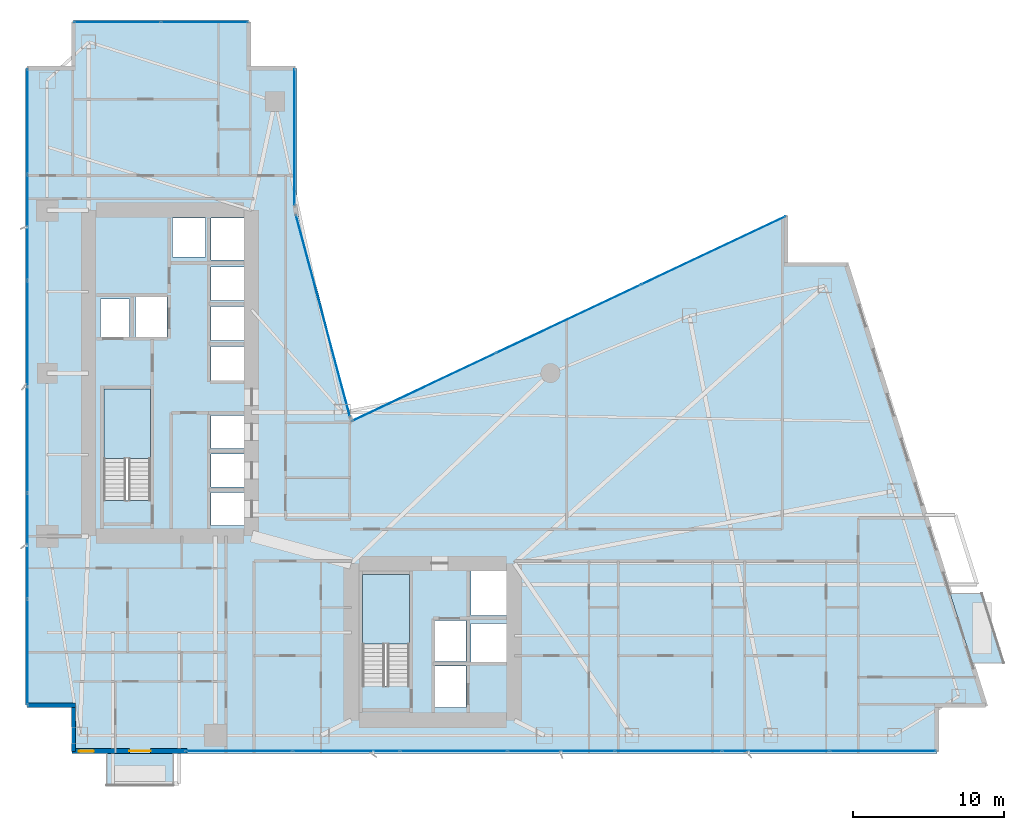
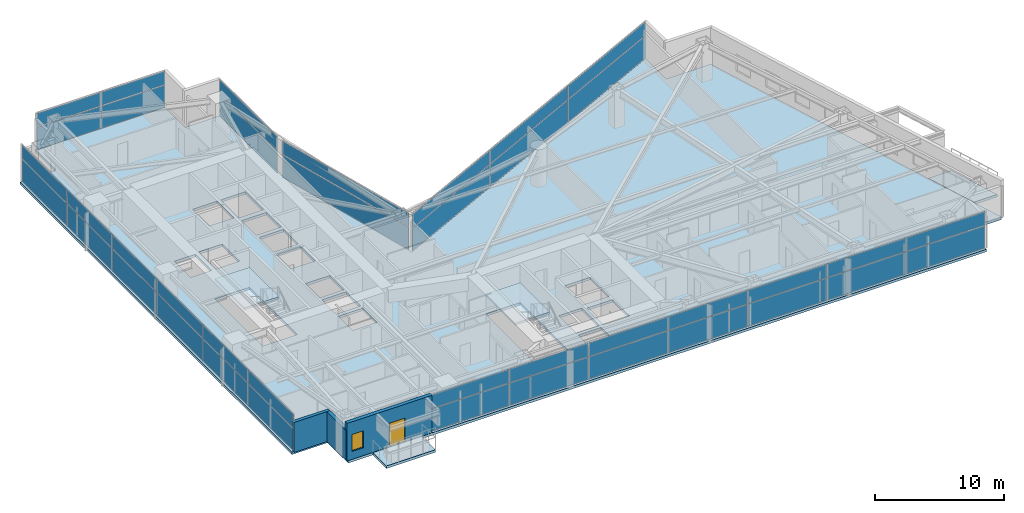
# One storey, part 21 of 30: 40 plates, 5 slabs, 3 walls, 1 door, 1 window, 2 openings, 8 elements without a shape of their own.
"""IFC4 building model written with IfcOpenShell, lengths in metres."""

from ifc_helpers import new_model, si_unit, direction, frame, frame_2d, origin, origin_2d, place, context, subcontext, project, spatial, polyline, rectangle, outline, extrude, material, layer, layer_set, type_object, element, fill, aggregate, save


model = new_model("IFC4")

# Units and contexts
model_context = context("Model", 3, precision=1e-05, world=origin(), true_north=direction((0.0, 1.0)))
body_context = subcontext(model_context, "Body", "Model", "MODEL_VIEW")
ifc_project = project(units=[si_unit("LENGTHUNIT", "METRE"), si_unit("AREAUNIT", "SQUARE_METRE"), si_unit("VOLUMEUNIT", "CUBIC_METRE"), si_unit("PLANEANGLEUNIT", "RADIAN"), si_unit("MASSUNIT", "GRAM", prefix="KILO")], contexts=[model_context])

# Site, building, storey
site_placement = place(None, origin())
site = spatial("IfcSite", under=ifc_project, at=site_placement, CompositionType="ELEMENT")
building_placement = place(site_placement, origin())
building = spatial("IfcBuilding", under=site, at=building_placement, Name="Calvorn Quay Hotel", CompositionType="ELEMENT")
storey_placement = place(building_placement, frame((0.0, 0.0, 30.800048828125)))
storey = spatial("IfcBuildingStorey", under=building, at=storey_placement, Name="L06", CompositionType="ELEMENT", Elevation=30.800048828125)

# Curtain wall, plates
ifc_material_1 = material(Name="Pale Anodised Aluminium and Low-E Glass", Category="aluminium")
ifc_layer_1 = layer(ifc_material_1, 0.219970703125)
ifc_layer_set_1 = layer_set([ifc_layer_1], Name="CW-SYS-Z1")
curtain_wall_type = type_object("IfcCurtainWallType", Name="CW-SYS-Z1", PredefinedType="NOTDEFINED", material=ifc_layer_set_1)
curtain_wall_1_placement = place(storey_placement, origin())
curtain_wall_1 = element("IfcCurtainWall", 1, at=curtain_wall_1_placement, inside=storey, type_object=curtain_wall_type, Name="Tower West Curtain Wall (L06)", PredefinedType="NOTDEFINED")
ifc_material_2 = material(Name="Low-E Laminated Double Glazing", Category="glass")
ifc_layer_2 = layer(ifc_material_2, 0.028076171875)
ifc_layer_set_2 = layer_set([ifc_layer_2], Name="CW-SYS-Z1-PAN")
plate_type = type_object("IfcPlateType", Name="CW-SYS-Z1-PAN", PredefinedType="CURTAIN_PANEL", material=ifc_layer_set_2)
plate_1_placement = place(storey_placement, frame((0.14990234375, 9.131591796875, 0.06005859375), z_axis=(0.0, 0.0, 1.0), x_axis=(0.0, 1.0, 0.0)))
plate_1 = element("IfcPlate", 2, at=plate_1_placement, type_object=plate_type, Name="CW-L06-W panel 1.1", PredefinedType="CURTAIN_PANEL", context=body_context, shape_type="SweptSolid", body=[
    extrude(rectangle(XDim=6.943359375, YDim=0.028076171875, at=origin_2d()), origin(), (0.0, 0.0, 1.0), 2.110107421875),
])
plate_2_placement = place(storey_placement, frame((0.14990234375, 9.131591796875, 2.22998046875), z_axis=(0.0, 0.0, 1.0), x_axis=(0.0, 1.0, 0.0)))
plate_2 = element("IfcPlate", 3, at=plate_2_placement, type_object=plate_type, Name="CW-L06-W panel 1.2", PredefinedType="CURTAIN_PANEL", context=body_context, shape_type="SweptSolid", body=[
    extrude(rectangle(XDim=6.943359375, YDim=0.028076171875, at=origin_2d()), origin(), (0.0, 0.0, 1.0), 1.27001953125),
])
plate_3_placement = place(storey_placement, frame((0.14990234375, 16.14990234375, 0.06005859375), z_axis=(0.0, 0.0, 1.0), x_axis=(0.0, 1.0, 0.0)))
plate_3 = element("IfcPlate", 4, at=plate_3_placement, type_object=plate_type, Name="CW-L06-W panel 2.1", PredefinedType="CURTAIN_PANEL", context=body_context, shape_type="SweptSolid", body=[
    extrude(rectangle(XDim=6.973388671875, YDim=0.028076171875, at=origin_2d()), origin(), (0.0, 0.0, 1.0), 2.110107421875),
])
plate_4_placement = place(storey_placement, frame((0.14990234375, 16.14990234375, 2.22998046875), z_axis=(0.0, 0.0, 1.0), x_axis=(0.0, 1.0, 0.0)))
plate_4 = element("IfcPlate", 5, at=plate_4_placement, type_object=plate_type, Name="CW-L06-W panel 2.2", PredefinedType="CURTAIN_PANEL", context=body_context, shape_type="SweptSolid", body=[
    extrude(rectangle(XDim=6.973388671875, YDim=0.028076171875, at=origin_2d()), origin(), (0.0, 0.0, 1.0), 1.27001953125),
])
plate_5_placement = place(storey_placement, frame((0.14990234375, 23.183349609375, 0.06005859375), z_axis=(0.0, 0.0, 1.0), x_axis=(0.0, 1.0, 0.0)))
plate_5 = element("IfcPlate", 6, at=plate_5_placement, type_object=plate_type, Name="CW-L06-W panel 3.1", PredefinedType="CURTAIN_PANEL", context=body_context, shape_type="SweptSolid", body=[
    extrude(rectangle(XDim=6.973388671875, YDim=0.028076171875, at=origin_2d()), origin(), (0.0, 0.0, 1.0), 2.110107421875),
])
plate_6_placement = place(storey_placement, frame((0.14990234375, 23.183349609375, 2.22998046875), z_axis=(0.0, 0.0, 1.0), x_axis=(0.0, 1.0, 0.0)))
plate_6 = element("IfcPlate", 7, at=plate_6_placement, type_object=plate_type, Name="CW-L06-W panel 3.2", PredefinedType="CURTAIN_PANEL", context=body_context, shape_type="SweptSolid", body=[
    extrude(rectangle(XDim=6.973388671875, YDim=0.028076171875, at=origin_2d()), origin(), (0.0, 0.0, 1.0), 1.27001953125),
])
plate_7_placement = place(storey_placement, frame((0.14990234375, 30.216552734375, 0.06005859375), z_axis=(0.0, 0.0, 1.0), x_axis=(0.0, 1.0, 0.0)))
plate_7 = element("IfcPlate", 8, at=plate_7_placement, type_object=plate_type, Name="CW-L06-W panel 4.1", PredefinedType="CURTAIN_PANEL", context=body_context, shape_type="SweptSolid", body=[
    extrude(rectangle(XDim=6.973388671875, YDim=0.028076171875, at=origin_2d()), origin(), (0.0, 0.0, 1.0), 2.110107421875),
])
plate_8_placement = place(storey_placement, frame((0.14990234375, 30.216552734375, 2.22998046875), z_axis=(0.0, 0.0, 1.0), x_axis=(0.0, 1.0, 0.0)))
plate_8 = element("IfcPlate", 9, at=plate_8_placement, type_object=plate_type, Name="CW-L06-W panel 4.2", PredefinedType="CURTAIN_PANEL", context=body_context, shape_type="SweptSolid", body=[
    extrude(rectangle(XDim=6.973388671875, YDim=0.028076171875, at=origin_2d()), origin(), (0.0, 0.0, 1.0), 1.27001953125),
])
plate_9_placement = place(storey_placement, frame((0.14990234375, 37.25, 0.06005859375), z_axis=(0.0, 0.0, 1.0), x_axis=(0.0, 1.0, 0.0)))
plate_9 = element("IfcPlate", 10, at=plate_9_placement, type_object=plate_type, Name="CW-L06-W panel 5.1", PredefinedType="CURTAIN_PANEL", context=body_context, shape_type="SweptSolid", body=[
    extrude(rectangle(XDim=6.973388671875, YDim=0.028076171875, at=origin_2d()), origin(), (0.0, 0.0, 1.0), 2.110107421875),
])
plate_10_placement = place(storey_placement, frame((0.14990234375, 37.25, 2.22998046875), z_axis=(0.0, 0.0, 1.0), x_axis=(0.0, 1.0, 0.0)))
plate_10 = element("IfcPlate", 11, at=plate_10_placement, type_object=plate_type, Name="CW-L06-W panel 5.2", PredefinedType="CURTAIN_PANEL", context=body_context, shape_type="SweptSolid", body=[
    extrude(rectangle(XDim=6.973388671875, YDim=0.028076171875, at=origin_2d()), origin(), (0.0, 0.0, 1.0), 1.27001953125),
])
plate_11_placement = place(storey_placement, frame((0.14990234375, 44.268310546875, 0.06005859375), z_axis=(0.0, 0.0, 1.0), x_axis=(0.0, 1.0, 0.0)))
plate_11 = element("IfcPlate", 12, at=plate_11_placement, type_object=plate_type, Name="CW-L06-W panel 6.1", PredefinedType="CURTAIN_PANEL", context=body_context, shape_type="SweptSolid", body=[
    extrude(rectangle(XDim=6.943359375, YDim=0.028076171875, at=origin_2d()), origin(), (0.0, 0.0, 1.0), 2.110107421875),
])
plate_12_placement = place(storey_placement, frame((0.14990234375, 44.268310546875, 2.22998046875), z_axis=(0.0, 0.0, 1.0), x_axis=(0.0, 1.0, 0.0)))
plate_12 = element("IfcPlate", 13, at=plate_12_placement, type_object=plate_type, Name="CW-L06-W panel 6.2", PredefinedType="CURTAIN_PANEL", context=body_context, shape_type="SweptSolid", body=[
    extrude(rectangle(XDim=6.943359375, YDim=0.028076171875, at=origin_2d()), origin(), (0.0, 0.0, 1.0), 1.27001953125),
])
aggregate(curtain_wall_1, [plate_1, plate_2, plate_3, plate_4, plate_5, plate_6, plate_7, plate_8, plate_9, plate_10, plate_11, plate_12])

curtain_wall_2_placement = place(storey_placement, origin())
curtain_wall_2 = element("IfcCurtainWall", 14, at=curtain_wall_2_placement, inside=storey, type_object=curtain_wall_type, Name="Tower South Waterfront Curtain Wall (L06)", PredefinedType="NOTDEFINED")
plate_13_placement = place(storey_placement, frame((14.172119140625, 2.550048828125, 0.06005859375), z_axis=(0.0, 0.0, 1.0), x_axis=(1.0, 0.0, 0.0)))
plate_13 = element("IfcPlate", 15, at=plate_13_placement, type_object=plate_type, Name="CW-L06-S panel 1.1", PredefinedType="CURTAIN_PANEL", context=body_context, shape_type="SweptSolid", body=[
    extrude(rectangle(XDim=7.024169921875, YDim=0.028076171875, at=origin_2d()), origin(), (0.0, 0.0, 1.0), 2.110107421875),
])
plate_14_placement = place(storey_placement, frame((14.172119140625, 2.550048828125, 2.22998046875), z_axis=(0.0, 0.0, 1.0), x_axis=(1.0, 0.0, 0.0)))
plate_14 = element("IfcPlate", 16, at=plate_14_placement, type_object=plate_type, Name="CW-L06-S panel 1.2", PredefinedType="CURTAIN_PANEL", context=body_context, shape_type="SweptSolid", body=[
    extrude(rectangle(XDim=7.024169921875, YDim=0.028076171875, at=origin_2d()), origin(), (0.0, 0.0, 1.0), 1.27001953125),
])
plate_15_placement = place(storey_placement, frame((21.271484375, 2.550048828125, 0.06005859375), z_axis=(0.0, 0.0, 1.0), x_axis=(1.0, 0.0, 0.0)))
plate_15 = element("IfcPlate", 17, at=plate_15_placement, type_object=plate_type, Name="CW-L06-S panel 2.1", PredefinedType="CURTAIN_PANEL", context=body_context, shape_type="SweptSolid", body=[
    extrude(rectangle(XDim=7.05419921875, YDim=0.028076171875, at=origin_2d()), origin(), (0.0, 0.0, 1.0), 2.110107421875),
])
plate_16_placement = place(storey_placement, frame((21.271484375, 2.550048828125, 2.22998046875), z_axis=(0.0, 0.0, 1.0), x_axis=(1.0, 0.0, 0.0)))
plate_16 = element("IfcPlate", 18, at=plate_16_placement, type_object=plate_type, Name="CW-L06-S panel 2.2", PredefinedType="CURTAIN_PANEL", context=body_context, shape_type="SweptSolid", body=[
    extrude(rectangle(XDim=7.05419921875, YDim=0.028076171875, at=origin_2d()), origin(), (0.0, 0.0, 1.0), 1.27001953125),
])
plate_17_placement = place(storey_placement, frame((28.3857421875, 2.550048828125, 0.06005859375), z_axis=(0.0, 0.0, 1.0), x_axis=(1.0, 0.0, 0.0)))
plate_17 = element("IfcPlate", 19, at=plate_17_placement, type_object=plate_type, Name="CW-L06-S panel 3.1", PredefinedType="CURTAIN_PANEL", context=body_context, shape_type="SweptSolid", body=[
    extrude(rectangle(XDim=7.05419921875, YDim=0.028076171875, at=origin_2d()), origin(), (0.0, 0.0, 1.0), 2.110107421875),
])
plate_18_placement = place(storey_placement, frame((28.3857421875, 2.550048828125, 2.22998046875), z_axis=(0.0, 0.0, 1.0), x_axis=(1.0, 0.0, 0.0)))
plate_18 = element("IfcPlate", 20, at=plate_18_placement, type_object=plate_type, Name="CW-L06-S panel 3.2", PredefinedType="CURTAIN_PANEL", context=body_context, shape_type="SweptSolid", body=[
    extrude(rectangle(XDim=7.05419921875, YDim=0.028076171875, at=origin_2d()), origin(), (0.0, 0.0, 1.0), 1.27001953125),
])
plate_19_placement = place(storey_placement, frame((35.5, 2.550048828125, 0.06005859375), z_axis=(0.0, 0.0, 1.0), x_axis=(1.0, 0.0, 0.0)))
plate_19 = element("IfcPlate", 21, at=plate_19_placement, type_object=plate_type, Name="CW-L06-S panel 4.1", PredefinedType="CURTAIN_PANEL", context=body_context, shape_type="SweptSolid", body=[
    extrude(rectangle(XDim=7.05419921875, YDim=0.028076171875, at=origin_2d()), origin(), (0.0, 0.0, 1.0), 2.110107421875),
])
plate_20_placement = place(storey_placement, frame((35.5, 2.550048828125, 2.22998046875), z_axis=(0.0, 0.0, 1.0), x_axis=(1.0, 0.0, 0.0)))
plate_20 = element("IfcPlate", 22, at=plate_20_placement, type_object=plate_type, Name="CW-L06-S panel 4.2", PredefinedType="CURTAIN_PANEL", context=body_context, shape_type="SweptSolid", body=[
    extrude(rectangle(XDim=7.05419921875, YDim=0.028076171875, at=origin_2d()), origin(), (0.0, 0.0, 1.0), 1.27001953125),
])
plate_21_placement = place(storey_placement, frame((42.6142578125, 2.550048828125, 0.06005859375), z_axis=(0.0, 0.0, 1.0), x_axis=(1.0, 0.0, 0.0)))
plate_21 = element("IfcPlate", 23, at=plate_21_placement, type_object=plate_type, Name="CW-L06-S panel 5.1", PredefinedType="CURTAIN_PANEL", context=body_context, shape_type="SweptSolid", body=[
    extrude(rectangle(XDim=7.05419921875, YDim=0.028076171875, at=origin_2d()), origin(), (0.0, 0.0, 1.0), 2.110107421875),
])
plate_22_placement = place(storey_placement, frame((42.6142578125, 2.550048828125, 2.22998046875), z_axis=(0.0, 0.0, 1.0), x_axis=(1.0, 0.0, 0.0)))
plate_22 = element("IfcPlate", 24, at=plate_22_placement, type_object=plate_type, Name="CW-L06-S panel 5.2", PredefinedType="CURTAIN_PANEL", context=body_context, shape_type="SweptSolid", body=[
    extrude(rectangle(XDim=7.05419921875, YDim=0.028076171875, at=origin_2d()), origin(), (0.0, 0.0, 1.0), 1.27001953125),
])
plate_23_placement = place(storey_placement, frame((49.728515625, 2.550048828125, 0.06005859375), z_axis=(0.0, 0.0, 1.0), x_axis=(1.0, 0.0, 0.0)))
plate_23 = element("IfcPlate", 25, at=plate_23_placement, type_object=plate_type, Name="CW-L06-S panel 6.1", PredefinedType="CURTAIN_PANEL", context=body_context, shape_type="SweptSolid", body=[
    extrude(rectangle(XDim=7.05419921875, YDim=0.028076171875, at=origin_2d()), origin(), (0.0, 0.0, 1.0), 2.110107421875),
])
plate_24_placement = place(storey_placement, frame((49.728515625, 2.550048828125, 2.22998046875), z_axis=(0.0, 0.0, 1.0), x_axis=(1.0, 0.0, 0.0)))
plate_24 = element("IfcPlate", 26, at=plate_24_placement, type_object=plate_type, Name="CW-L06-S panel 6.2", PredefinedType="CURTAIN_PANEL", context=body_context, shape_type="SweptSolid", body=[
    extrude(rectangle(XDim=7.05419921875, YDim=0.028076171875, at=origin_2d()), origin(), (0.0, 0.0, 1.0), 1.27001953125),
])
plate_25_placement = place(storey_placement, frame((56.827880859375, 2.550048828125, 0.06005859375), z_axis=(0.0, 0.0, 1.0), x_axis=(1.0, 0.0, 0.0)))
plate_25 = element("IfcPlate", 27, at=plate_25_placement, type_object=plate_type, Name="CW-L06-S panel 7.1", PredefinedType="CURTAIN_PANEL", context=body_context, shape_type="SweptSolid", body=[
    extrude(rectangle(XDim=7.024169921875, YDim=0.028076171875, at=origin_2d()), origin(), (0.0, 0.0, 1.0), 2.110107421875),
])
plate_26_placement = place(storey_placement, frame((56.827880859375, 2.550048828125, 2.22998046875), z_axis=(0.0, 0.0, 1.0), x_axis=(1.0, 0.0, 0.0)))
plate_26 = element("IfcPlate", 28, at=plate_26_placement, type_object=plate_type, Name="CW-L06-S panel 7.2", PredefinedType="CURTAIN_PANEL", context=body_context, shape_type="SweptSolid", body=[
    extrude(rectangle(XDim=7.024169921875, YDim=0.028076171875, at=origin_2d()), origin(), (0.0, 0.0, 1.0), 1.27001953125),
])
aggregate(curtain_wall_2, [plate_13, plate_14, plate_15, plate_16, plate_17, plate_18, plate_19, plate_20, plate_21, plate_22, plate_23, plate_24, plate_25, plate_26])

curtain_wall_3_placement = place(storey_placement, origin())
curtain_wall_3 = element("IfcCurtainWall", 29, at=curtain_wall_3_placement, inside=storey, type_object=curtain_wall_type, Name="Inner Court Curtain Wall L06-NE1", PredefinedType="NOTDEFINED")
plate_27_placement = place(storey_placement, frame((45.58642578125, 35.726806640625, 0.06005859375), z_axis=(0.0, 0.0, 1.0), x_axis=(-0.904248646743, -0.427006305415, 0.0)))
plate_27 = element("IfcPlate", 30, at=plate_27_placement, type_object=plate_type, Name="CW-L06-NE1 panel 1.1", PredefinedType="CURTAIN_PANEL", context=body_context, shape_type="SweptSolid", body=[
    extrude(rectangle(XDim=10.526611328125, YDim=0.028076171875, at=origin_2d()), origin(), (0.0, 0.0, 1.0), 2.110107421875),
])
plate_28_placement = place(storey_placement, frame((45.58642578125, 35.726806640625, 2.22998046875), z_axis=(0.0, 0.0, 1.0), x_axis=(-0.904248646743, -0.427006305415, 0.0)))
plate_28 = element("IfcPlate", 31, at=plate_28_placement, type_object=plate_type, Name="CW-L06-NE1 panel 1.2", PredefinedType="CURTAIN_PANEL", context=body_context, shape_type="SweptSolid", body=[
    extrude(rectangle(XDim=10.526611328125, YDim=0.028076171875, at=origin_2d()), origin(), (0.0, 0.0, 1.0), 1.27001953125),
])
plate_29_placement = place(storey_placement, frame((36.0, 31.199951171875, 0.06005859375), z_axis=(0.0, 0.0, 1.0), x_axis=(-0.904248646743, -0.427006305415, 0.0)))
plate_29 = element("IfcPlate", 32, at=plate_29_placement, type_object=plate_type, Name="CW-L06-NE1 panel 2.1", PredefinedType="CURTAIN_PANEL", context=body_context, shape_type="SweptSolid", body=[
    extrude(rectangle(XDim=10.556640625, YDim=0.028076171875, at=origin_2d()), origin(), (0.0, 0.0, 1.0), 2.110107421875),
])
plate_30_placement = place(storey_placement, frame((36.0, 31.199951171875, 2.22998046875), z_axis=(0.0, 0.0, 1.0), x_axis=(-0.904248646743, -0.427006305415, 0.0)))
plate_30 = element("IfcPlate", 33, at=plate_30_placement, type_object=plate_type, Name="CW-L06-NE1 panel 2.2", PredefinedType="CURTAIN_PANEL", context=body_context, shape_type="SweptSolid", body=[
    extrude(rectangle(XDim=10.556640625, YDim=0.028076171875, at=origin_2d()), origin(), (0.0, 0.0, 1.0), 1.27001953125),
])
plate_31_placement = place(storey_placement, frame((26.41357421875, 26.673095703125, 0.06005859375), z_axis=(0.0, 0.0, 1.0), x_axis=(-0.904248646743, -0.427006305415, 0.0)))
plate_31 = element("IfcPlate", 34, at=plate_31_placement, type_object=plate_type, Name="CW-L06-NE1 panel 3.1", PredefinedType="CURTAIN_PANEL", context=body_context, shape_type="SweptSolid", body=[
    extrude(rectangle(XDim=10.526611328125, YDim=0.028076171875, at=origin_2d()), origin(), (0.0, 0.0, 1.0), 2.110107421875),
])
plate_32_placement = place(storey_placement, frame((26.41357421875, 26.673095703125, 2.22998046875), z_axis=(0.0, 0.0, 1.0), x_axis=(-0.904248646743, -0.427006305415, 0.0)))
plate_32 = element("IfcPlate", 35, at=plate_32_placement, type_object=plate_type, Name="CW-L06-NE1 panel 3.2", PredefinedType="CURTAIN_PANEL", context=body_context, shape_type="SweptSolid", body=[
    extrude(rectangle(XDim=10.526611328125, YDim=0.028076171875, at=origin_2d()), origin(), (0.0, 0.0, 1.0), 1.27001953125),
])
aggregate(curtain_wall_3, [plate_27, plate_28, plate_29, plate_30, plate_31, plate_32])

curtain_wall_4_placement = place(storey_placement, origin())
curtain_wall_4 = element("IfcCurtainWall", 36, at=curtain_wall_4_placement, inside=storey, type_object=curtain_wall_type, Name="Inner Court Curtain Wall L06-IC1", PredefinedType="NOTDEFINED")
plate_33_placement = place(storey_placement, frame((19.72509765625, 31.39990234375, 0.06005859375), z_axis=(0.0, 0.0, 1.0), x_axis=(-0.25877913024, 0.96593652056, 0.0)))
plate_33 = element("IfcPlate", 37, at=plate_33_placement, type_object=plate_type, Name="CW-L06-IC1 panel 1.1", PredefinedType="CURTAIN_PANEL", context=body_context, shape_type="SweptSolid", body=[
    extrude(rectangle(XDim=13.814697265625, YDim=0.028076171875, at=origin_2d()), origin(), (0.0, 0.0, 1.0), 2.110107421875),
])
plate_34_placement = place(storey_placement, frame((19.72509765625, 31.39990234375, 2.22998046875), z_axis=(0.0, 0.0, 1.0), x_axis=(-0.25877913024, 0.96593652056, 0.0)))
plate_34 = element("IfcPlate", 38, at=plate_34_placement, type_object=plate_type, Name="CW-L06-IC1 panel 1.2", PredefinedType="CURTAIN_PANEL", context=body_context, shape_type="SweptSolid", body=[
    extrude(rectangle(XDim=13.814697265625, YDim=0.028076171875, at=origin_2d()), origin(), (0.0, 0.0, 1.0), 1.27001953125),
])
aggregate(curtain_wall_4, [plate_33, plate_34])

curtain_wall_5_placement = place(storey_placement, origin())
curtain_wall_5 = element("IfcCurtainWall", 39, at=curtain_wall_5_placement, inside=storey, type_object=curtain_wall_type, Name="Inner Court Curtain Wall L06-IC2", PredefinedType="NOTDEFINED")
plate_35_placement = place(storey_placement, frame((17.85009765625, 43.239990234375, 0.06005859375), z_axis=(0.0, 0.0, 1.0), x_axis=(0.0, 1.0, 0.0)))
plate_35 = element("IfcPlate", 40, at=plate_35_placement, type_object=plate_type, Name="CW-L06-IC2 panel 1.1", PredefinedType="CURTAIN_PANEL", context=body_context, shape_type="SweptSolid", body=[
    extrude(rectangle(XDim=9.0, YDim=0.028076171875, at=origin_2d()), origin(), (0.0, 0.0, 1.0), 2.110107421875),
])
plate_36_placement = place(storey_placement, frame((17.85009765625, 43.239990234375, 2.22998046875), z_axis=(0.0, 0.0, 1.0), x_axis=(0.0, 1.0, 0.0)))
plate_36 = element("IfcPlate", 41, at=plate_36_placement, type_object=plate_type, Name="CW-L06-IC2 panel 1.2", PredefinedType="CURTAIN_PANEL", context=body_context, shape_type="SweptSolid", body=[
    extrude(rectangle(XDim=9.0, YDim=0.028076171875, at=origin_2d()), origin(), (0.0, 0.0, 1.0), 1.27001953125),
])
aggregate(curtain_wall_5, [plate_35, plate_36])

curtain_wall_6_placement = place(storey_placement, origin())
curtain_wall_6 = element("IfcCurtainWall", 42, at=curtain_wall_6_placement, inside=storey, type_object=curtain_wall_type, Name="Inner Court Curtain Wall L06-N1", PredefinedType="NOTDEFINED")
plate_37_placement = place(storey_placement, frame((11.885009765625, 50.85009765625, 0.06005859375), z_axis=(0.0, 0.0, 1.0), x_axis=(-1.0, 0.0, 0.0)))
plate_37 = element("IfcPlate", 43, at=plate_37_placement, type_object=plate_type, Name="CW-L06-N1 panel 1.1", PredefinedType="CURTAIN_PANEL", context=body_context, shape_type="SweptSolid", body=[
    extrude(rectangle(XDim=5.7099609375, YDim=0.028076171875, at=origin_2d()), origin(), (0.0, 0.0, 1.0), 2.110107421875),
])
plate_38_placement = place(storey_placement, frame((11.885009765625, 50.85009765625, 2.22998046875), z_axis=(0.0, 0.0, 1.0), x_axis=(-1.0, 0.0, 0.0)))
plate_38 = element("IfcPlate", 44, at=plate_38_placement, type_object=plate_type, Name="CW-L06-N1 panel 1.2", PredefinedType="CURTAIN_PANEL", context=body_context, shape_type="SweptSolid", body=[
    extrude(rectangle(XDim=5.7099609375, YDim=0.028076171875, at=origin_2d()), origin(), (0.0, 0.0, 1.0), 1.27001953125),
])
plate_39_placement = place(storey_placement, frame((6.114990234375, 50.85009765625, 0.06005859375), z_axis=(0.0, 0.0, 1.0), x_axis=(-1.0, 0.0, 0.0)))
plate_39 = element("IfcPlate", 45, at=plate_39_placement, type_object=plate_type, Name="CW-L06-N1 panel 2.1", PredefinedType="CURTAIN_PANEL", context=body_context, shape_type="SweptSolid", body=[
    extrude(rectangle(XDim=5.7099609375, YDim=0.028076171875, at=origin_2d()), origin(), (0.0, 0.0, 1.0), 2.110107421875),
])
plate_40_placement = place(storey_placement, frame((6.114990234375, 50.85009765625, 2.22998046875), z_axis=(0.0, 0.0, 1.0), x_axis=(-1.0, 0.0, 0.0)))
plate_40 = element("IfcPlate", 46, at=plate_40_placement, type_object=plate_type, Name="CW-L06-N1 panel 2.2", PredefinedType="CURTAIN_PANEL", context=body_context, shape_type="SweptSolid", body=[
    extrude(rectangle(XDim=5.7099609375, YDim=0.028076171875, at=origin_2d()), origin(), (0.0, 0.0, 1.0), 1.27001953125),
])
aggregate(curtain_wall_6, [plate_37, plate_38, plate_39, plate_40])

# Slabs
ifc_material_3 = material(Name="Concrete C40", Category="concrete")
ifc_layer_3 = layer(ifc_material_3, 0.239990234375)
ifc_layer_set_3 = layer_set([ifc_layer_3], Name="SLB-BALCONY-220")
slab_type_1 = type_object("IfcSlabType", Name="SLB-BALCONY-220", PredefinedType="FLOOR", material=ifc_layer_set_3)
slab_1_placement = place(storey_placement, frame((0.0, 0.0, -0.239990234375)))
element("IfcSlab", 47, at=slab_1_placement, inside=storey, type_object=slab_type_1, Name="Tree Balcony Slab L06-BALC-E", PredefinedType="FLOOR", context=body_context, shape_type="SweptSolid", body=[
    extrude(outline(polyline([(62.72802734375, 8.39990234375), (64.827880859375, 8.39990234375), (63.3779296875, 13.0), (61.278076171875, 13.0), (62.72802734375, 8.39990234375)])), origin(), (0.0, 0.0, 1.0), 0.239990234375),
])
slab_2_placement = place(storey_placement, frame((0.0, 0.0, -0.239990234375)))
element("IfcSlab", 48, at=slab_2_placement, inside=storey, type_object=slab_type_1, Name="Tree Balcony Slab L06-BALC-S", PredefinedType="FLOOR", context=body_context, shape_type="SweptSolid", body=[
    extrude(outline(polyline([(5.39990234375, 0.2900390625), (9.800048828125, 0.2900390625), (9.800048828125, 2.389892578125), (5.39990234375, 2.389892578125), (5.39990234375, 0.2900390625)])), origin(), (0.0, 0.0, 1.0), 0.239990234375),
])

# Stair, slab
ifc_material_4 = material(Name="Concrete C40", Category="concrete")
stair_type = type_object("IfcStairType", Name="STR-CORE-DOGLEG", PredefinedType="HALF_TURN_STAIR", material=ifc_material_4)
stair_1_placement = place(storey_placement, origin())
stair_1 = element("IfcStair", 49, at=stair_1_placement, inside=storey, type_object=stair_type, Name="L06 ST-W", PredefinedType="HALF_TURN_STAIR")
ifc_material_5 = material(Name="Concrete C40", Category="concrete")
ifc_layer_4 = layer(ifc_material_5, 0.199951171875)
ifc_layer_set_4 = layer_set([ifc_layer_4], Name="SLB-STAIR-LANDING-200")
slab_type_2 = type_object("IfcSlabType", Name="SLB-STAIR-LANDING-200", PredefinedType="LANDING", material=ifc_layer_set_4)
slab_3_placement = place(storey_placement, frame((0.0, 0.0, 1.699951171875)))
slab_3 = element("IfcSlab", 50, at=slab_3_placement, type_object=slab_type_2, Name="ST-W landing 1", PredefinedType="LANDING", context=body_context, shape_type="SweptSolid", body=[
    extrude(outline(polyline([(8.300048828125, 21.949951171875), (8.300048828125, 26.550048828125), (5.199951171875, 26.550048828125), (5.199951171875, 21.949951171875), (8.300048828125, 21.949951171875)])), origin(), (0.0, 0.0, 1.0), 0.199951171875),
])
aggregate(stair_1, [slab_3])

stair_2_placement = place(storey_placement, origin())
stair_2 = element("IfcStair", 51, at=stair_2_placement, inside=storey, type_object=stair_type, Name="L06 ST-E", PredefinedType="HALF_TURN_STAIR")
slab_4_placement = place(storey_placement, frame((0.0, 0.0, 1.699951171875)))
slab_4 = element("IfcSlab", 52, at=slab_4_placement, type_object=slab_type_2, Name="ST-E landing 1", PredefinedType="LANDING", context=body_context, shape_type="SweptSolid", body=[
    extrude(outline(polyline([(25.449951171875, 9.64990234375), (25.449951171875, 14.25), (22.35009765625, 14.25), (22.35009765625, 9.64990234375), (25.449951171875, 9.64990234375)])), origin(), (0.0, 0.0, 1.0), 0.199951171875),
])
aggregate(stair_2, [slab_4])

# Slab
ifc_material_6 = material(Name="Concrete C40", Category="concrete")
ifc_layer_5 = layer(ifc_material_6, 0.239990234375)
ifc_layer_set_5 = layer_set([ifc_layer_5], Name="SLB-TOWER-240")
slab_type_3 = type_object("IfcSlabType", Name="SLB-TOWER-240", PredefinedType="FLOOR", material=ifc_layer_set_5)
slab_5_placement = place(storey_placement, frame((0.0, 0.0, -0.239990234375)))
element("IfcSlab", 53, at=slab_5_placement, inside=storey, type_object=slab_type_3, Name="L06 Structural Floor Slab", PredefinedType="FLOOR", context=body_context, shape_type="SweptSolid", body=[
    extrude(outline(polyline([(0.0, 5.60009765625), (3.199951171875, 5.60009765625), (3.199951171875, 2.39990234375), (60.39990234375, 2.39990234375), (60.39990234375, 5.60009765625), (63.60009765625, 5.60009765625), (54.39990234375, 34.800048828125), (50.39990234375, 34.800048828125), (50.39990234375, 38.0), (21.60009765625, 24.39990234375), (18.0, 38.39990234375), (18.0, 47.800048828125), (14.800048828125, 47.800048828125), (14.800048828125, 51.0), (3.199951171875, 51.0), (3.199951171875, 47.800048828125), (0.0, 47.800048828125), (0.0, 5.60009765625)]), holes=[polyline([(5.199951171875, 19.156005859375), (8.300048828125, 19.156005859375), (8.300048828125, 26.550048828125), (5.199951171875, 26.550048828125), (5.199951171875, 19.156005859375)]), polyline([(22.35009765625, 6.85595703125), (25.449951171875, 6.85595703125), (25.449951171875, 14.25), (22.35009765625, 14.25), (22.35009765625, 6.85595703125)]), polyline([(5.0, 30.0), (6.89990234375, 30.0), (6.89990234375, 32.5), (5.0, 32.5), (5.0, 30.0)]), polyline([(7.300048828125, 30.0), (9.39990234375, 30.0), (9.39990234375, 32.64990234375), (7.300048828125, 32.64990234375), (7.300048828125, 30.0)]), polyline([(27.159912109375, 8.5), (29.2099609375, 8.5), (29.2099609375, 11.199951171875), (27.159912109375, 11.199951171875), (27.159912109375, 8.5)]), polyline([(27.159912109375, 5.449951171875), (29.2099609375, 5.449951171875), (29.2099609375, 8.199951171875), (27.159912109375, 8.199951171875), (27.159912109375, 5.449951171875)]), polyline([(12.300048828125, 17.5), (14.489990234375, 17.5), (14.489990234375, 19.699951171875), (12.300048828125, 19.699951171875), (12.300048828125, 17.5)]), polyline([(12.300048828125, 20.050048828125), (14.489990234375, 20.050048828125), (14.489990234375, 22.25), (12.300048828125, 22.25), (12.300048828125, 20.050048828125)]), polyline([(12.300048828125, 22.60009765625), (14.489990234375, 22.60009765625), (14.489990234375, 24.800048828125), (12.300048828125, 24.800048828125), (12.300048828125, 22.60009765625)]), polyline([(12.300048828125, 27.10009765625), (14.489990234375, 27.10009765625), (14.489990234375, 29.35009765625), (12.300048828125, 29.35009765625), (12.300048828125, 27.10009765625)]), polyline([(12.300048828125, 29.75), (14.489990234375, 29.75), (14.489990234375, 32.0), (12.300048828125, 32.0), (12.300048828125, 29.75)]), polyline([(12.300048828125, 32.39990234375), (14.489990234375, 32.39990234375), (14.489990234375, 34.64990234375), (12.300048828125, 34.64990234375), (12.300048828125, 32.39990234375)]), polyline([(12.300048828125, 35.10009765625), (14.489990234375, 35.10009765625), (14.489990234375, 37.889892578125), (12.300048828125, 37.889892578125), (12.300048828125, 35.10009765625)]), polyline([(9.75, 35.300048828125), (11.949951171875, 35.300048828125), (11.949951171875, 37.889892578125), (9.75, 37.889892578125), (9.75, 35.300048828125)]), polyline([(29.550048828125, 11.550048828125), (31.889892578125, 11.550048828125), (31.889892578125, 14.489990234375), (29.550048828125, 14.489990234375), (29.550048828125, 11.550048828125)]), polyline([(29.550048828125, 8.449951171875), (31.889892578125, 8.449951171875), (31.889892578125, 11.0), (29.550048828125, 11.0), (29.550048828125, 8.449951171875)])]), origin(), (0.0, 0.0, 1.0), 0.239990234375),
])

# Wall, openings, door, window
ifc_material_7 = material(Name="Concrete C40", Category="concrete")
ifc_layer_6 = layer(ifc_material_7, 0.320068359375)
ifc_layer_set_6 = layer_set([ifc_layer_6], Name="WL-EXT-SPANDREL-320")
wall_type = type_object("IfcWallType", Name="WL-EXT-SPANDREL-320", PredefinedType="SOLIDWALL", material=ifc_layer_set_6)
wall_1_placement = place(storey_placement, frame((3.10009765625, 2.56005859375, 0.0), z_axis=(0.0, 0.0, 1.0), x_axis=(1.0, 0.0, 0.0)))
wall_1 = element("IfcWall", 54, at=wall_1_placement, inside=storey, type_object=wall_type, Name="South Balcony Exterior Wall (L06)", PredefinedType="SOLIDWALL", context=body_context, shape_type="SweptSolid", body=[
    extrude(rectangle(XDim=7.599853515625, YDim=0.320068359375, at=frame_2d((3.7998046875, 0.0))), origin(), (0.0, 0.0, 1.0), 3.56005859375),
])
opening_1_placement = place(wall_1_placement, frame((0.449951171875, 0.0, 0.75)))
opening_1 = element("IfcOpeningElement", 55, at=opening_1_placement, cuts=wall_1, Name="Opening WSB-L06-1", PredefinedType="OPENING", context=body_context, shape_type="SweptSolid", body=[
    extrude(rectangle(XDim=1.0, YDim=1.60009765625, at=frame_2d((0.5, 0.800048828125))), frame((0.0, 0.169921875, 0.0), z_axis=(0.0, -1.0, 0.0), x_axis=(1.0, 0.0, 0.0)), (0.0, 0.0, 1.0), 0.340087890625),
])
opening_2_placement = place(wall_1_placement, frame((3.800048828125, 0.0, 0.0)))
opening_2 = element("IfcOpeningElement", 56, at=opening_2_placement, cuts=wall_1, Name="Opening DB-L06-2", PredefinedType="OPENING", context=body_context, shape_type="SweptSolid", body=[
    extrude(rectangle(XDim=1.39990234375, YDim=2.25, at=frame_2d((0.699951171875, 1.125))), frame((0.0, 0.169921875, 0.0), z_axis=(0.0, -1.0, 0.0), x_axis=(1.0, 0.0, 0.0)), (0.0, 0.0, 1.0), 0.340087890625),
])
ifc_material_8 = material(Name="Typhoon-Rated Low-E Aluminium Terrace Door", Category="aluminium")
door_type = type_object("IfcDoorType", Name="DR-BALCONY-GLZ-1400", OperationType="NOTDEFINED", PredefinedType="DOOR", material=ifc_material_8)
door_placement = place(opening_2_placement, origin())
door = element("IfcDoor", 57, at=door_placement, inside=storey, type_object=door_type, Name="Tree Balcony Terrace Door L06-BALC-S", OperationType="SINGLE_SWING_LEFT", OverallHeight=2.25, OverallWidth=1.39990234375, PredefinedType="DOOR", context=body_context, shape_type="SweptSolid", body=[
    extrude(rectangle(XDim=1.39990234375, YDim=2.25, at=frame_2d((0.699951171875, 1.125))), frame((0.0, 0.02490234375, 0.0), z_axis=(0.0, -1.0, 0.0), x_axis=(1.0, 0.0, 0.0)), (0.0, 0.0, 1.0), 0.050048828125),
])
fill(opening_2, door)
ifc_material_9 = material(Name="Self-Closing Class B Side Fire Window")
window_type = type_object("IfcWindowType", Name="WIN-REFUGE-NARROW-1000x1600", PartitioningType="SINGLE_PANEL", PredefinedType="WINDOW", material=ifc_material_9)
window_placement = place(opening_1_placement, origin())
window = element("IfcWindow", 58, at=window_placement, inside=storey, type_object=window_type, Name="South Waterfront Side Window (L06)", OverallHeight=1.60009765625, OverallWidth=1.0, PartitioningType="SINGLE_PANEL", PredefinedType="WINDOW", context=body_context, shape_type="SweptSolid", body=[
    extrude(rectangle(XDim=1.0, YDim=1.60009765625, at=frame_2d((0.5, 0.800048828125))), frame((0.0, 0.030029296875, 0.0), z_axis=(0.0, -1.0, 0.0), x_axis=(1.0, 0.0, 0.0)), (0.0, 0.0, 1.0), 0.06005859375),
])
fill(opening_1, window)

# Walls
wall_2_placement = place(storey_placement, frame((0.1201171875, 5.60009765625, 0.0), z_axis=(0.0, 0.0, 1.0), x_axis=(1.0, 0.0, 0.0)))
element("IfcWall", 59, at=wall_2_placement, inside=storey, type_object=wall_type, Name="Notched Corner Spandrel L06-SW1", PredefinedType="SOLIDWALL", context=body_context, shape_type="SweptSolid", body=[
    extrude(rectangle(XDim=3.219970703125, YDim=0.280029296875, at=frame_2d((1.60986328125, 0.0))), origin(), (0.0, 0.0, 1.0), 2.83984375),
])
wall_3_placement = place(storey_placement, frame((3.199951171875, 5.4599609375, 0.0), z_axis=(0.0, 0.0, 1.0), x_axis=(0.0, -1.0, 0.0)))
element("IfcWall", 60, at=wall_3_placement, inside=storey, type_object=wall_type, Name="Notched Corner Spandrel L06-SW2", PredefinedType="SOLIDWALL", context=body_context, shape_type="SweptSolid", body=[
    extrude(rectangle(XDim=2.93994140625, YDim=0.280029296875, at=frame_2d((1.469970703125, 0.0))), origin(), (0.0, 0.0, 1.0), 2.83984375),
])

save(model, "model.ifc")
